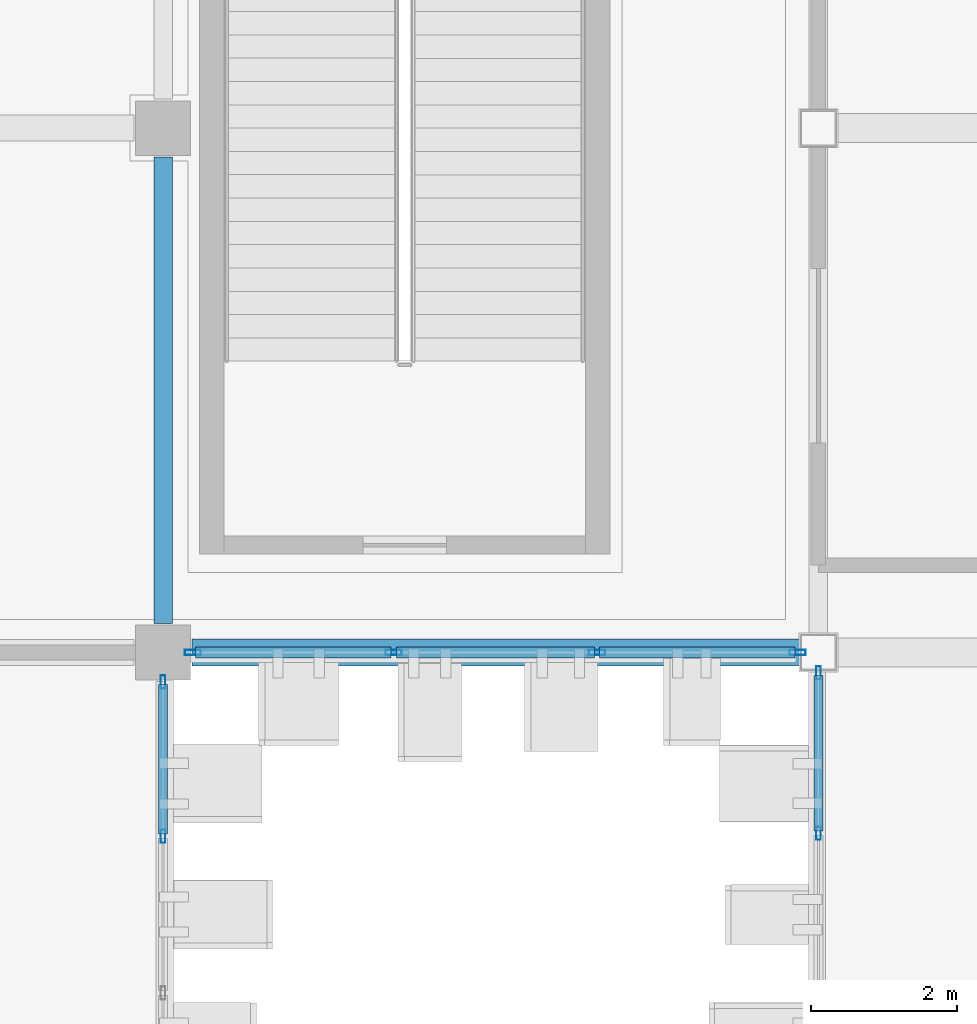
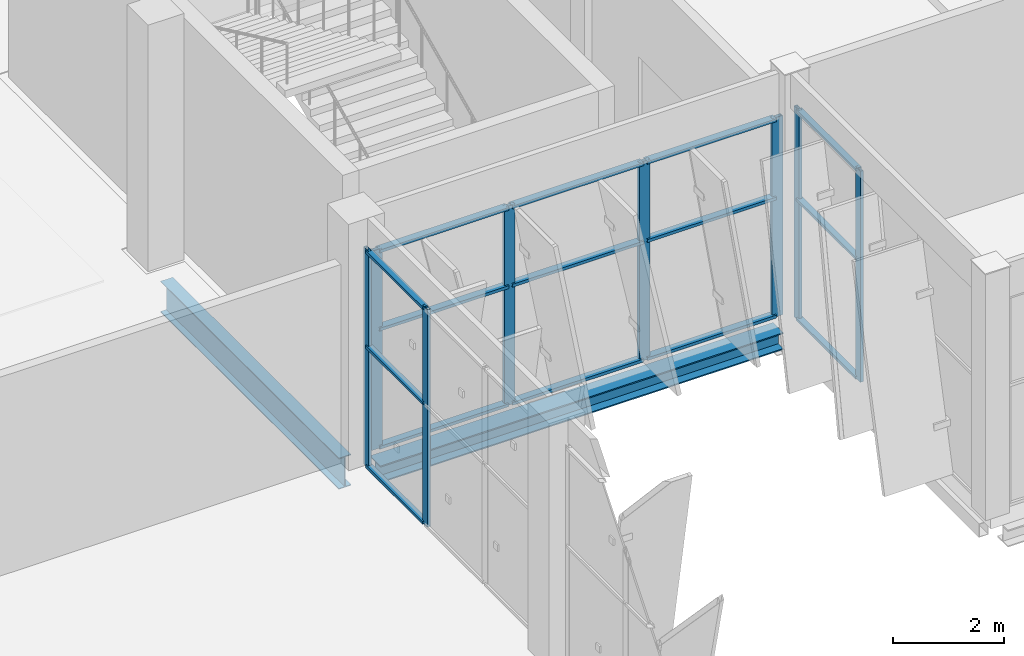
# One storey, part 78 of 189: 23 members, 2 beams, 3 elements without a shape of their own.
"""IFC4 building model written with IfcOpenShell, lengths in metres."""

import ifcopenshell
import ifcopenshell.guid

model = None  # the IFC model being written
_history = None  # IfcOwnerHistory: only IFC2X3 demands one
_inside = {}  # id of a spatial element -> (the spatial element, [elements in it])
_under = {}  # id of a project, library or spatial element -> (it, [spatial elements below it])
_declared = {}  # id of a project -> (the project, [libraries it declares])
_typed = {}  # id of a type object -> (the type object, [elements of that type])
_made_of = {}  # id of a material, layer set ... -> (it, [elements and type objects made of it])


def new_model(schema):
    """Start an empty IFC model of exactly this schema.

    Asked for "IFC4X3", IfcOpenShell would pick the latest addendum, in which some entities
    have other attributes; the version numbers below select the first issue.
    IFC2X3 requires an IfcOwnerHistory on every rooted entity: one is made here for all.
    """
    global model, _history
    if schema == "IFC4X3":
        model = ifcopenshell.file(schema_version=(4, 3, 0, 0))
    else:
        model = ifcopenshell.file(schema=schema)
    _inside.clear()
    _under.clear()
    _declared.clear()
    _typed.clear()
    _made_of.clear()
    _history = None
    if model.schema == "IFC2X3":
        org = make("IfcOrganization", Name="unknown")
        user = make(
            "IfcPersonAndOrganization",
            ThePerson=make("IfcPerson", FamilyName="unknown"),
            TheOrganization=org,
        )
        app = make(
            "IfcApplication",
            ApplicationDeveloper=org,
            Version="unknown",
            ApplicationFullName="unknown",
            ApplicationIdentifier="unknown",
        )
        _history = make(
            "IfcOwnerHistory",
            OwningUser=user,
            OwningApplication=app,
            ChangeAction="ADDED",
            CreationDate=0,
        )
    return model


def make(cls, **values):
    """One entity of the class cls with the attributes given. An attribute that is None is left unset."""
    return model.create_entity(
        cls, **{name: value for name, value in values.items() if value is not None}
    )


def rooted(cls, **values):
    """An entity with a GlobalId (a new one), such as an element, a storey or a relation."""
    return make(cls, GlobalId=ifcopenshell.guid.new(), OwnerHistory=_history, **values)


def si_unit(unit_type, name, prefix=None):
    """IfcSIUnit, for example si_unit("LENGTHUNIT", "METRE", prefix="MILLI")."""
    return make("IfcSIUnit", UnitType=unit_type, Prefix=prefix, Name=name)


def assignment(units):
    """IfcUnitAssignment: the units of a project."""
    return None if units is None else make("IfcUnitAssignment", Units=units)


def point(xyz):
    """IfcCartesianPoint."""
    return None if xyz is None else make("IfcCartesianPoint", Coordinates=xyz)


def direction(xyz):
    """IfcDirection."""
    return None if xyz is None else make("IfcDirection", DirectionRatios=xyz)


def frame(location, z_axis=None, x_axis=None):
    """IfcAxis2Placement3D, a coordinate frame: its origin and axes. An axis left out is left unset."""
    return make(
        "IfcAxis2Placement3D",
        Location=point(location),
        Axis=direction(z_axis),
        RefDirection=direction(x_axis),
    )


def frame_2d(location, x_axis=None):
    """IfcAxis2Placement2D, a coordinate frame in the plane: its origin and x axis."""
    return make(
        "IfcAxis2Placement2D", Location=point(location), RefDirection=direction(x_axis)
    )


def origin():
    """The frame at (0, 0, 0) with its axes left unset."""
    return frame((0.0, 0.0, 0.0))


def origin_2d():
    """The frame at (0, 0) in the plane with its x axis left unset."""
    return frame_2d((0.0, 0.0))


def place(relative_to, where):
    """IfcLocalPlacement: puts the frame where relative to a parent placement (None: the world)."""
    return make(
        "IfcLocalPlacement", PlacementRelTo=relative_to, RelativePlacement=where
    )


def context(
    kind, dimensions, precision=None, world=None, true_north=None, identifier=None
):
    """IfcGeometricRepresentationContext, for example the 3D "Model" context."""
    return make(
        "IfcGeometricRepresentationContext",
        ContextIdentifier=identifier,
        ContextType=kind,
        CoordinateSpaceDimension=dimensions,
        Precision=precision,
        WorldCoordinateSystem=world,
        TrueNorth=true_north,
    )


def subcontext(parent, identifier, kind, view, scale=None):
    """IfcGeometricRepresentationSubContext, for example "Body" below "Model"."""
    return make(
        "IfcGeometricRepresentationSubContext",
        ContextIdentifier=identifier,
        ContextType=kind,
        ParentContext=parent,
        TargetScale=scale,
        TargetView=view,
    )


def project(units=None, contexts=None):
    """IfcProject with its units and contexts."""
    return rooted(
        "IfcProject",
        Name="project",
        RepresentationContexts=contexts,
        UnitsInContext=assignment(units),
    )


def spatial(cls, under=None, at=None, **own):
    """A site, building, storey or space (cls), placed at a placement, below another one or the project."""
    s = rooted(cls, ObjectPlacement=at, **own)
    if under is not None:
        _under.setdefault(under.id(), (under, []))[1].append(s)
    return s


def profile(cls, at=None, kind="AREA", **sizes):
    """A parametric profile (cls). Its sizes go by their IFC names, for example OverallWidth=200.0."""
    return make(cls, ProfileType=kind, Position=at, **sizes)


def hollow_rectangle(**sizes):
    """IfcRectangleHollowProfileDef."""
    return profile("IfcRectangleHollowProfileDef", **sizes)


def i_section(**sizes):
    """IfcIShapeProfileDef."""
    return profile("IfcIShapeProfileDef", **sizes)


def extrude(swept, where, along, depth):
    """IfcExtrudedAreaSolid: the profile swept, set in the frame where, extruded along a direction by depth."""
    return make(
        "IfcExtrudedAreaSolid",
        SweptArea=swept,
        Position=where,
        ExtrudedDirection=direction(along),
        Depth=depth,
    )


def shape(context_of_items, identifier, shape_type, items):
    """IfcShapeRepresentation: the items that make up one representation, for example the "Body"."""
    return make(
        "IfcShapeRepresentation",
        ContextOfItems=context_of_items,
        RepresentationIdentifier=identifier,
        RepresentationType=shape_type,
        Items=items,
    )


def material(Name=None, Category=None):
    """IfcMaterial."""
    return make("IfcMaterial", Name=Name, Category=Category)


def layer(
    of_material, thickness, ventilated=None, Name=None, Category=None, Priority=None
):
    """IfcMaterialLayer: one layer of a wall or slab, of a material (None: an air gap)."""
    return make(
        "IfcMaterialLayer",
        Material=of_material,
        LayerThickness=thickness,
        IsVentilated=ventilated,
        Name=Name,
        Category=Category,
        Priority=Priority,
    )


def layer_set(layers, Name=None):
    """IfcMaterialLayerSet."""
    return make("IfcMaterialLayerSet", MaterialLayers=layers, LayerSetName=Name)


def material_profile(
    of_material, cross_section, Name=None, Category=None, Priority=None
):
    """IfcMaterialProfile: a cross section and its material."""
    return make(
        "IfcMaterialProfile",
        Name=Name,
        Material=of_material,
        Profile=cross_section,
        Priority=Priority,
        Category=Category,
    )


def profile_set(profiles, Name=None, composite=None):
    """IfcMaterialProfileSet."""
    return make(
        "IfcMaterialProfileSet",
        Name=Name,
        MaterialProfiles=profiles,
        CompositeProfile=composite,
    )


def made_of(thing, what):
    """Note that an element or type object is made of a material, layer set ...; save() writes the relation."""
    if what is not None:
        _made_of.setdefault(what.id(), (what, []))[1].append(thing)
    return thing


def type_object(cls, material=None, **own):
    """A type object (cls), such as IfcWallType, which elements share."""
    return made_of(rooted(cls, **own), material)


def element(
    cls,
    number,
    at=None,
    inside=None,
    cuts=None,
    type_object=None,
    material=None,
    context=None,
    identifier="Body",
    shape_type=None,
    held_by="IfcProductDefinitionShape",
    body=None,
    shapes=None,
    **own,
):
    """One element of the class cls, such as IfcWall. Its Tag is "e" and its number.

    at: its placement. inside: the storey or other place that contains it. cuts: it is an
    opening in that element (IfcRelVoidsElement). A single representation is given by context,
    identifier, shape_type and body (its items); several are given by shapes. held_by: the class
    of the entity that holds the representations. save() writes the other relations.
    """
    e = rooted(cls, Tag="e%d" % number, ObjectPlacement=at, **own)
    if body is not None:
        shapes = [shape(context, identifier, shape_type, body)]
    if shapes is not None:
        e.Representation = make(held_by, Representations=shapes)
    if inside is not None:
        _inside.setdefault(inside.id(), (inside, []))[1].append(e)
    if cuts is not None:
        rooted(
            "IfcRelVoidsElement", RelatingBuildingElement=cuts, RelatedOpeningElement=e
        )
    if type_object is not None:
        _typed.setdefault(type_object.id(), (type_object, []))[1].append(e)
    return made_of(e, material)


def aggregate(whole, parts):
    """IfcRelAggregates: a whole, such as a stair, and the parts it consists of."""
    return rooted("IfcRelAggregates", RelatingObject=whole, RelatedObjects=parts)


def save(model, path):
    """Write the relations noted so far, then the file.

    IfcRelAggregates (storeys below a building ...), IfcRelContainedInSpatialStructure (elements
    in a storey), IfcRelDefinesByType, IfcRelAssociatesMaterial and IfcRelDeclares: one each for
    every whole, place, type object, material and project.
    """
    for whole, parts in _under.values():
        aggregate(whole, parts)
    for where, things in _inside.values():
        rooted(
            "IfcRelContainedInSpatialStructure",
            RelatedElements=things,
            RelatingStructure=where,
        )
    for kind, things in _typed.values():
        rooted("IfcRelDefinesByType", RelatedObjects=things, RelatingType=kind)
    for what, things in _made_of.values():
        rooted("IfcRelAssociatesMaterial", RelatedObjects=things, RelatingMaterial=what)
    for by, libraries in _declared.values():
        rooted("IfcRelDeclares", RelatingContext=by, RelatedDefinitions=libraries)
    model.write(path)


model = new_model("IFC4")

# Units and contexts
model_context = context("Model", 3, precision=1e-05, world=origin(), true_north=direction((0.0, 1.0)))
body_context = subcontext(model_context, "Body", "Model", "MODEL_VIEW")
ifc_project = project(units=[si_unit("LENGTHUNIT", "METRE"), si_unit("AREAUNIT", "SQUARE_METRE"), si_unit("VOLUMEUNIT", "CUBIC_METRE"), si_unit("PLANEANGLEUNIT", "RADIAN"), si_unit("MASSUNIT", "GRAM", prefix="KILO")], contexts=[model_context])

# Site, building, storey
site_placement = place(None, origin())
site = spatial("IfcSite", under=ifc_project, at=site_placement, CompositionType="ELEMENT")
building_placement = place(site_placement, origin())
building = spatial("IfcBuilding", under=site, at=building_placement, Name="Celestram Park Convention Centre", CompositionType="ELEMENT")
storey_placement = place(building_placement, frame((0.0, 0.0, 5.39990234375)))
storey = spatial("IfcBuildingStorey", under=building, at=storey_placement, Name="L01", CompositionType="ELEMENT", Elevation=5.39990234375)

# Curtain wall, members
ifc_material_1 = material(Name="Anodised Aluminium Alloy 6063-T6", Category="aluminium")
ifc_layer_1 = layer(ifc_material_1, 0.179931640625)
ifc_layer_set_1 = layer_set([ifc_layer_1], Name="Anodised Aluminium Alloy 6063-T6")
curtain_wall_type_1 = type_object("IfcCurtainWallType", Name="ARC-CW-670X462", PredefinedType="NOTDEFINED", material=ifc_layer_set_1)
curtain_wall_1_placement = place(storey_placement, origin())
curtain_wall_1 = element("IfcCurtainWall", 1, at=curtain_wall_1_placement, inside=storey, type_object=curtain_wall_type_1, Name="Unitised curtain wall CU-L01-084", PredefinedType="NOTDEFINED")
ifc_material_profile_1 = material_profile(ifc_material_1, hollow_rectangle(XDim=0.06494140625, YDim=0.179931640625, WallThickness=0.00390625, at=origin_2d()), Name="ALU65X180X4")
ifc_profile_set_1 = profile_set([ifc_material_profile_1], Name="Anodised Aluminium Alloy 6063-T6")
member_type_1 = type_object("IfcMemberType", Name="ARC-CWM-150", PredefinedType="MULLION", material=ifc_profile_set_1)
member_1_placement = place(storey_placement, frame((153.0, 119.917236328125, 0.0), z_axis=(0.0, 0.0, 1.0), x_axis=(-1.0, 0.0, 0.0)))
member_1 = element("IfcMember", 2, at=member_1_placement, type_object=member_type_1, Name="CW-67X46 mullion 3", PredefinedType="MULLION", context=body_context, shape_type="SweptSolid", body=[
    extrude(hollow_rectangle(XDim=0.06494140625, YDim=0.179931640625, WallThickness=0.00390625, at=origin_2d()), origin(), (0.0, 0.0, 1.0), 4.6240234375),
])
member_2_placement = place(storey_placement, frame((153.0, 122.119384765625, 0.0), z_axis=(0.0, 0.0, 1.0), x_axis=(-1.0, 0.0, 0.0)))
member_2 = element("IfcMember", 3, at=member_2_placement, type_object=member_type_1, Name="CW-67X46 mullion 4", PredefinedType="MULLION", context=body_context, shape_type="SweptSolid", body=[
    extrude(hollow_rectangle(XDim=0.06494140625, YDim=0.179931640625, WallThickness=0.00390625, at=origin_2d()), origin(), (0.0, 0.0, 1.0), 4.6240234375),
])

ifc_layer_2 = layer(ifc_material_1, 0.179931640625)
ifc_layer_set_2 = layer_set([ifc_layer_2], Name="Anodised Aluminium Alloy 6063-T6")
curtain_wall_type_2 = type_object("IfcCurtainWallType", Name="ARC-CW-645X476", PredefinedType="NOTDEFINED", material=ifc_layer_set_2)
curtain_wall_2_placement = place(storey_placement, origin())
curtain_wall_2 = element("IfcCurtainWall", 4, at=curtain_wall_2_placement, inside=storey, type_object=curtain_wall_type_2, Name="Unitised curtain wall CU-L01-086", PredefinedType="NOTDEFINED")
member_3_placement = place(storey_placement, frame((144.0, 121.994384765625, 0.0), z_axis=(0.0, 0.0, 1.0), x_axis=(1.0, 0.0, 0.0)))
member_3 = element("IfcMember", 5, at=member_3_placement, type_object=member_type_1, Name="CW-64X47 mullion 1", PredefinedType="MULLION", context=body_context, shape_type="SweptSolid", body=[
    extrude(hollow_rectangle(XDim=0.06494140625, YDim=0.179931640625, WallThickness=0.00390625, at=origin_2d()), origin(), (0.0, 0.0, 1.0), 4.76416015625),
])
member_4_placement = place(storey_placement, frame((144.0, 119.875732421875, 0.0), z_axis=(0.0, 0.0, 1.0), x_axis=(1.0, 0.0, 0.0)))
member_4 = element("IfcMember", 6, at=member_4_placement, type_object=member_type_1, Name="CW-64X47 mullion 2", PredefinedType="MULLION", context=body_context, shape_type="SweptSolid", body=[
    extrude(hollow_rectangle(XDim=0.06494140625, YDim=0.179931640625, WallThickness=0.00390625, at=origin_2d()), origin(), (0.0, 0.0, 1.0), 4.76416015625),
])

ifc_layer_3 = layer(ifc_material_1, 0.179931640625)
ifc_layer_set_3 = layer_set([ifc_layer_3], Name="Anodised Aluminium Alloy 6063-T6")
curtain_wall_type_3 = type_object("IfcCurtainWallType", Name="ARC-CW-838X437", PredefinedType="NOTDEFINED", material=ifc_layer_set_3)
curtain_wall_3_placement = place(storey_placement, origin())
curtain_wall_3 = element("IfcCurtainWall", 7, at=curtain_wall_3_placement, inside=storey, type_object=curtain_wall_type_3, Name="Unitised curtain wall CU-L01-085", PredefinedType="NOTDEFINED")
ifc_material_profile_2 = material_profile(ifc_material_1, hollow_rectangle(XDim=0.074951171875, YDim=0.219970703125, WallThickness=0.00390625, at=origin_2d()), Name="ALU75X220X4")
ifc_profile_set_2 = profile_set([ifc_material_profile_2], Name="Anodised Aluminium Alloy 6063-T6")
member_type_2 = type_object("IfcMemberType", Name="ARC-CWM-180", PredefinedType="MULLION", material=ifc_profile_set_2)
member_5_placement = place(storey_placement, frame((152.714599609375, 122.39990234375, 0.0), z_axis=(0.0, 0.0, 1.0), x_axis=(0.0, -1.0, 0.0)))
member_5 = element("IfcMember", 8, at=member_5_placement, type_object=member_type_2, Name="CW-83X43 mullion 1", PredefinedType="MULLION", context=body_context, shape_type="SweptSolid", body=[
    extrude(hollow_rectangle(XDim=0.074951171875, YDim=0.219970703125, WallThickness=0.00390625, at=origin_2d()), origin(), (0.0, 0.0, 1.0), 4.3681640625),
])
member_6_placement = place(storey_placement, frame((149.958984375, 122.39990234375, 0.0), z_axis=(0.0, 0.0, 1.0), x_axis=(0.0, -1.0, 0.0)))
member_6 = element("IfcMember", 9, at=member_6_placement, type_object=member_type_2, Name="CW-83X43 mullion 2", PredefinedType="MULLION", context=body_context, shape_type="SweptSolid", body=[
    extrude(hollow_rectangle(XDim=0.074951171875, YDim=0.219970703125, WallThickness=0.00390625, at=origin_2d()), origin(), (0.0, 0.0, 1.0), 4.3681640625),
])
member_7_placement = place(storey_placement, frame((147.166015625, 122.39990234375, 0.0), z_axis=(0.0, 0.0, 1.0), x_axis=(0.0, -1.0, 0.0)))
member_7 = element("IfcMember", 10, at=member_7_placement, type_object=member_type_2, Name="CW-83X43 mullion 3", PredefinedType="MULLION", context=body_context, shape_type="SweptSolid", body=[
    extrude(hollow_rectangle(XDim=0.074951171875, YDim=0.219970703125, WallThickness=0.00390625, at=origin_2d()), origin(), (0.0, 0.0, 1.0), 4.3681640625),
])
member_8_placement = place(storey_placement, frame((144.410400390625, 122.39990234375, 0.0), z_axis=(0.0, 0.0, 1.0), x_axis=(0.0, -1.0, 0.0)))
member_8 = element("IfcMember", 11, at=member_8_placement, type_object=member_type_2, Name="CW-83X43 mullion 4", PredefinedType="MULLION", context=body_context, shape_type="SweptSolid", body=[
    extrude(hollow_rectangle(XDim=0.074951171875, YDim=0.219970703125, WallThickness=0.00390625, at=origin_2d()), origin(), (0.0, 0.0, 1.0), 4.3681640625),
])

# Member
ifc_material_profile_3 = material_profile(ifc_material_1, hollow_rectangle(XDim=0.1201171875, YDim=0.06005859375, WallThickness=0.0029296875, at=origin_2d()), Name="ALU120X60X3")
ifc_profile_set_3 = profile_set([ifc_material_profile_3], Name="Anodised Aluminium Alloy 6063-T6")
member_type_3 = type_object("IfcMemberType", Name="ARC-CWT-120", PredefinedType="USERDEFINED", material=ifc_profile_set_3)
member_9_placement = place(storey_placement, frame((153.0, 119.949951171875, 0.030029296875), z_axis=(0.0, 1.0, 0.0), x_axis=(-1.0, 0.0, 0.0)))
member_9 = element("IfcMember", 12, at=member_9_placement, type_object=member_type_3, Name="CW-67X46 transom 3.1", ObjectType="TRANSOM", PredefinedType="USERDEFINED", context=body_context, shape_type="SweptSolid", body=[
    extrude(hollow_rectangle(XDim=0.1201171875, YDim=0.06005859375, WallThickness=0.0029296875, at=origin_2d()), origin(), (0.0, 0.0, 1.0), 2.136962890625),
])

member_10_placement = place(storey_placement, frame((153.0, 119.949951171875, 2.650146484375), z_axis=(0.0, 1.0, 0.0), x_axis=(-1.0, 0.0, 0.0)))
member_10 = element("IfcMember", 13, at=member_10_placement, type_object=member_type_3, Name="CW-67X46 transom 3.2", ObjectType="TRANSOM", PredefinedType="USERDEFINED", context=body_context, shape_type="SweptSolid", body=[
    extrude(hollow_rectangle(XDim=0.1201171875, YDim=0.06005859375, WallThickness=0.0029296875, at=origin_2d()), origin(), (0.0, 0.0, 1.0), 2.136962890625),
])

member_11_placement = place(storey_placement, frame((153.0, 119.949951171875, 4.593994140625), z_axis=(0.0, 1.0, 0.0), x_axis=(-1.0, 0.0, 0.0)))
member_11 = element("IfcMember", 14, at=member_11_placement, type_object=member_type_3, Name="CW-67X46 transom 3.3", ObjectType="TRANSOM", PredefinedType="USERDEFINED", context=body_context, shape_type="SweptSolid", body=[
    extrude(hollow_rectangle(XDim=0.1201171875, YDim=0.06005859375, WallThickness=0.0029296875, at=origin_2d()), origin(), (0.0, 0.0, 1.0), 2.136962890625),
])

aggregate(curtain_wall_1, [member_1, member_2, member_9, member_10, member_11])

member_12_placement = place(storey_placement, frame((144.0, 121.9619140625, 0.030029296875), z_axis=(0.0, -1.0, 0.0), x_axis=(1.0, 0.0, 0.0)))
member_12 = element("IfcMember", 15, at=member_12_placement, type_object=member_type_3, Name="CW-64X47 transom 1.1", ObjectType="TRANSOM", PredefinedType="USERDEFINED", context=body_context, shape_type="SweptSolid", body=[
    extrude(hollow_rectangle(XDim=0.1201171875, YDim=0.06005859375, WallThickness=0.0029296875, at=origin_2d()), origin(), (0.0, 0.0, 1.0), 2.0537109375),
])

member_13_placement = place(storey_placement, frame((144.0, 121.9619140625, 2.650146484375), z_axis=(0.0, -1.0, 0.0), x_axis=(1.0, 0.0, 0.0)))
member_13 = element("IfcMember", 16, at=member_13_placement, type_object=member_type_3, Name="CW-64X47 transom 1.2", ObjectType="TRANSOM", PredefinedType="USERDEFINED", context=body_context, shape_type="SweptSolid", body=[
    extrude(hollow_rectangle(XDim=0.1201171875, YDim=0.06005859375, WallThickness=0.0029296875, at=origin_2d()), origin(), (0.0, 0.0, 1.0), 2.0537109375),
])

member_14_placement = place(storey_placement, frame((144.0, 121.9619140625, 4.734130859375), z_axis=(0.0, -1.0, 0.0), x_axis=(1.0, 0.0, 0.0)))
member_14 = element("IfcMember", 17, at=member_14_placement, type_object=member_type_3, Name="CW-64X47 transom 1.3", ObjectType="TRANSOM", PredefinedType="USERDEFINED", context=body_context, shape_type="SweptSolid", body=[
    extrude(hollow_rectangle(XDim=0.1201171875, YDim=0.06005859375, WallThickness=0.0029296875, at=origin_2d()), origin(), (0.0, 0.0, 1.0), 2.0537109375),
])

aggregate(curtain_wall_2, [member_3, member_4, member_12, member_13, member_14])

ifc_material_profile_4 = material_profile(ifc_material_1, hollow_rectangle(XDim=0.14990234375, YDim=0.06494140625, WallThickness=0.0029296875, at=origin_2d()), Name="ALU150X65X3")
ifc_profile_set_4 = profile_set([ifc_material_profile_4], Name="Anodised Aluminium Alloy 6063-T6")
member_type_4 = type_object("IfcMemberType", Name="ARC-CWT-150", PredefinedType="USERDEFINED", material=ifc_profile_set_4)
member_15_placement = place(storey_placement, frame((152.677001953125, 122.39990234375, 0.03271484375), z_axis=(-1.0, 0.0, 0.0), x_axis=(0.0, -1.0, 0.0)))
member_15 = element("IfcMember", 18, at=member_15_placement, type_object=member_type_4, Name="CW-83X43 transom 1.1", ObjectType="TRANSOM", PredefinedType="USERDEFINED", context=body_context, shape_type="SweptSolid", body=[
    extrude(hollow_rectangle(XDim=0.14990234375, YDim=0.06494140625, WallThickness=0.0029296875, at=origin_2d()), origin(), (0.0, 0.0, 1.0), 2.680419921875),
])

member_16_placement = place(storey_placement, frame((152.677001953125, 122.39990234375, 2.62109375), z_axis=(-1.0, 0.0, 0.0), x_axis=(0.0, -1.0, 0.0)))
member_16 = element("IfcMember", 19, at=member_16_placement, type_object=member_type_4, Name="CW-83X43 transom 1.2", ObjectType="TRANSOM", PredefinedType="USERDEFINED", context=body_context, shape_type="SweptSolid", body=[
    extrude(hollow_rectangle(XDim=0.14990234375, YDim=0.06494140625, WallThickness=0.0029296875, at=origin_2d()), origin(), (0.0, 0.0, 1.0), 2.680419921875),
])

member_17_placement = place(storey_placement, frame((152.677001953125, 122.39990234375, 4.335693359375), z_axis=(-1.0, 0.0, 0.0), x_axis=(0.0, -1.0, 0.0)))
member_17 = element("IfcMember", 20, at=member_17_placement, type_object=member_type_4, Name="CW-83X43 transom 1.3", ObjectType="TRANSOM", PredefinedType="USERDEFINED", context=body_context, shape_type="SweptSolid", body=[
    extrude(hollow_rectangle(XDim=0.14990234375, YDim=0.06494140625, WallThickness=0.0029296875, at=origin_2d()), origin(), (0.0, 0.0, 1.0), 2.680419921875),
])

member_18_placement = place(storey_placement, frame((149.92138671875, 122.39990234375, 0.03271484375), z_axis=(-1.0, 0.0, 0.0), x_axis=(0.0, -1.0, 0.0)))
member_18 = element("IfcMember", 21, at=member_18_placement, type_object=member_type_4, Name="CW-83X43 transom 2.1", ObjectType="TRANSOM", PredefinedType="USERDEFINED", context=body_context, shape_type="SweptSolid", body=[
    extrude(hollow_rectangle(XDim=0.14990234375, YDim=0.06494140625, WallThickness=0.0029296875, at=origin_2d()), origin(), (0.0, 0.0, 1.0), 2.7177734375),
])

member_19_placement = place(storey_placement, frame((149.92138671875, 122.39990234375, 2.62109375), z_axis=(-1.0, 0.0, 0.0), x_axis=(0.0, -1.0, 0.0)))
member_19 = element("IfcMember", 22, at=member_19_placement, type_object=member_type_4, Name="CW-83X43 transom 2.2", ObjectType="TRANSOM", PredefinedType="USERDEFINED", context=body_context, shape_type="SweptSolid", body=[
    extrude(hollow_rectangle(XDim=0.14990234375, YDim=0.06494140625, WallThickness=0.0029296875, at=origin_2d()), origin(), (0.0, 0.0, 1.0), 2.7177734375),
])

member_20_placement = place(storey_placement, frame((149.92138671875, 122.39990234375, 4.335693359375), z_axis=(-1.0, 0.0, 0.0), x_axis=(0.0, -1.0, 0.0)))
member_20 = element("IfcMember", 23, at=member_20_placement, type_object=member_type_4, Name="CW-83X43 transom 2.3", ObjectType="TRANSOM", PredefinedType="USERDEFINED", context=body_context, shape_type="SweptSolid", body=[
    extrude(hollow_rectangle(XDim=0.14990234375, YDim=0.06494140625, WallThickness=0.0029296875, at=origin_2d()), origin(), (0.0, 0.0, 1.0), 2.7177734375),
])

member_21_placement = place(storey_placement, frame((147.12841796875, 122.39990234375, 0.03271484375), z_axis=(-1.0, 0.0, 0.0), x_axis=(0.0, -1.0, 0.0)))
member_21 = element("IfcMember", 24, at=member_21_placement, type_object=member_type_4, Name="CW-83X43 transom 3.1", ObjectType="TRANSOM", PredefinedType="USERDEFINED", context=body_context, shape_type="SweptSolid", body=[
    extrude(hollow_rectangle(XDim=0.14990234375, YDim=0.06494140625, WallThickness=0.0029296875, at=origin_2d()), origin(), (0.0, 0.0, 1.0), 2.680419921875),
])

member_22_placement = place(storey_placement, frame((147.12841796875, 122.39990234375, 2.62109375), z_axis=(-1.0, 0.0, 0.0), x_axis=(0.0, -1.0, 0.0)))
member_22 = element("IfcMember", 25, at=member_22_placement, type_object=member_type_4, Name="CW-83X43 transom 3.2", ObjectType="TRANSOM", PredefinedType="USERDEFINED", context=body_context, shape_type="SweptSolid", body=[
    extrude(hollow_rectangle(XDim=0.14990234375, YDim=0.06494140625, WallThickness=0.0029296875, at=origin_2d()), origin(), (0.0, 0.0, 1.0), 2.680419921875),
])

member_23_placement = place(storey_placement, frame((147.12841796875, 122.39990234375, 4.335693359375), z_axis=(-1.0, 0.0, 0.0), x_axis=(0.0, -1.0, 0.0)))
member_23 = element("IfcMember", 26, at=member_23_placement, type_object=member_type_4, Name="CW-83X43 transom 3.3", ObjectType="TRANSOM", PredefinedType="USERDEFINED", context=body_context, shape_type="SweptSolid", body=[
    extrude(hollow_rectangle(XDim=0.14990234375, YDim=0.06494140625, WallThickness=0.0029296875, at=origin_2d()), origin(), (0.0, 0.0, 1.0), 2.680419921875),
])

aggregate(curtain_wall_3, [member_5, member_6, member_7, member_8, member_15, member_16, member_17, member_18, member_19, member_20, member_21, member_22, member_23])

# Beams
ifc_material_2 = material(Name="Steel ASTM A992 Grade 50", Category="steel")
ifc_material_profile_5 = material_profile(ifc_material_2, i_section(OverallWidth=0.25390625, OverallDepth=0.68310546875, WebThickness=0.012451171875, FlangeThickness=0.01904296875, at=origin_2d()), Name="W27X94")
ifc_profile_set_5 = profile_set([ifc_material_profile_5], Name="Steel ASTM A992 Grade 50")
beam_type_1 = type_object("IfcBeamType", Name="STR-BM-W27X94", PredefinedType="BEAM", material=ifc_profile_set_5)
beam_1_placement = place(storey_placement, frame((144.0, 122.798095703125, -0.621337890625), z_axis=(0.0, 1.0, 0.0), x_axis=(-1.0, 0.0, 0.0)))
element("IfcBeam", 27, at=beam_1_placement, inside=storey, type_object=beam_type_1, Name="Primary Y-girder BG-L01-0348", PredefinedType="BEAM", context=body_context, shape_type="SweptSolid", body=[
    extrude(i_section(OverallWidth=0.25390625, OverallDepth=0.68310546875, WebThickness=0.012451171875, FlangeThickness=0.01904296875, at=origin_2d()), origin(), (0.0, 0.0, 1.0), 6.40380859375),
])
ifc_material_profile_6 = material_profile(ifc_material_2, i_section(OverallWidth=0.373046875, OverallDepth=0.373046875, WebThickness=0.016357421875, FlangeThickness=0.026123046875, at=origin_2d()), Name="W14X132")
ifc_profile_set_6 = profile_set([ifc_material_profile_6], Name="Steel ASTM A992 Grade 50")
beam_type_2 = type_object("IfcBeamType", Name="STR-SPN-W14X132", PredefinedType="SPANDREL", material=ifc_profile_set_6)
beam_2_placement = place(storey_placement, frame((144.39794921875, 122.39990234375, -0.46630859375), z_axis=(1.0, 0.0, 0.0), x_axis=(0.0, 1.0, 0.0)))
element("IfcBeam", 28, at=beam_2_placement, inside=storey, type_object=beam_type_2, Name="Primary X-girder BG-L01-0347", PredefinedType="SPANDREL", context=body_context, shape_type="SweptSolid", body=[
    extrude(i_section(OverallWidth=0.373046875, OverallDepth=0.373046875, WebThickness=0.016357421875, FlangeThickness=0.026123046875, at=origin_2d()), origin(), (0.0, 0.0, 1.0), 8.35400390625),
])

save(model, "model.ifc")
